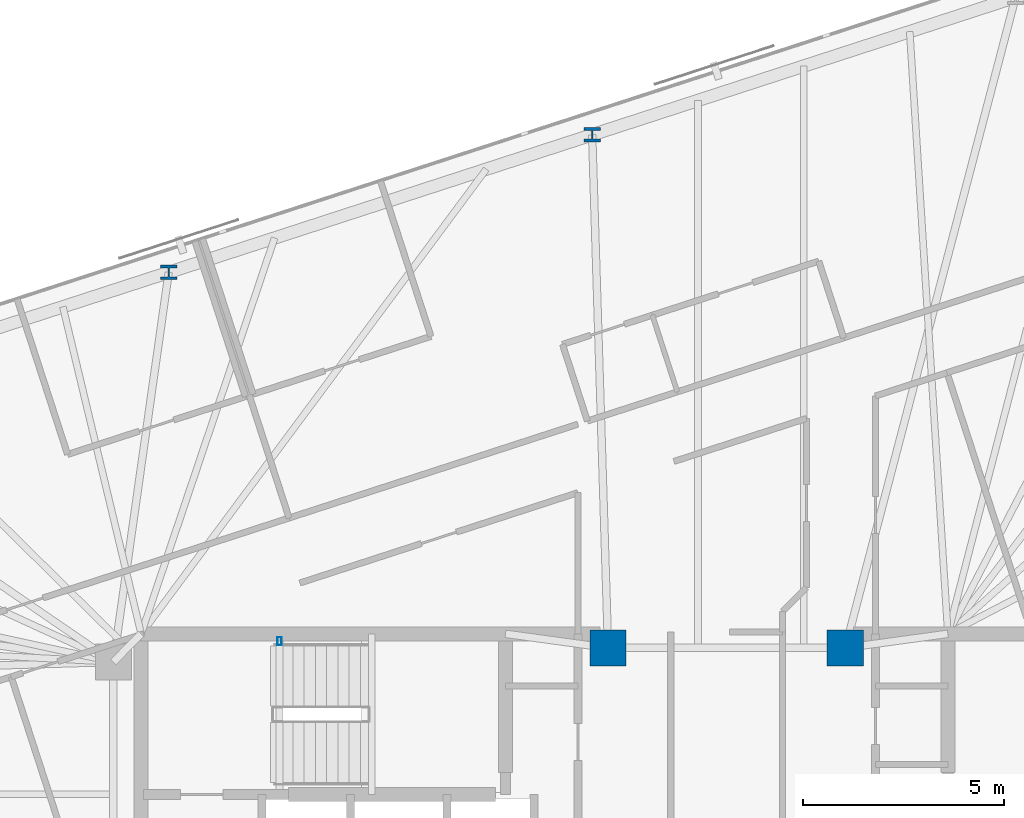
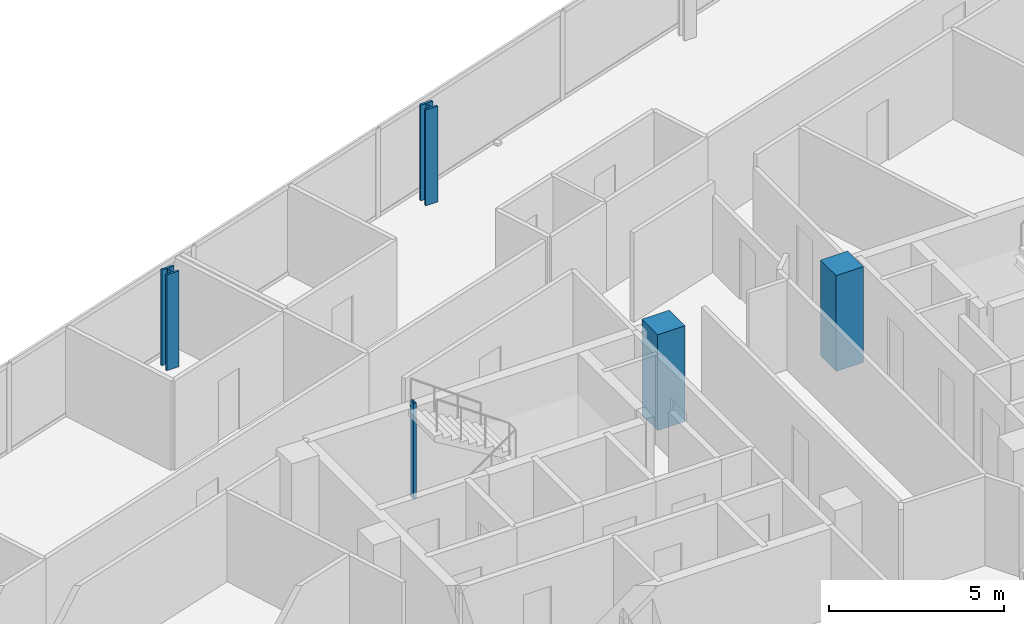
# One storey, part 2 of 19: 5 columns.
"""IFC4 building model written with IfcOpenShell, lengths in metres."""

from ifc_helpers import new_model, si_unit, direction, frame, origin, origin_2d, place, context, subcontext, project, spatial, rectangle, hollow_rectangle, i_section, extrude, material, material_profile, profile_set, type_object, element, save


model = new_model("IFC4")

# Units and contexts
model_context = context("Model", 3, precision=1e-05, world=origin(), true_north=direction((0.0, 1.0)))
body_context = subcontext(model_context, "Body", "Model", "MODEL_VIEW")
ifc_project = project(units=[si_unit("LENGTHUNIT", "METRE"), si_unit("AREAUNIT", "SQUARE_METRE"), si_unit("VOLUMEUNIT", "CUBIC_METRE"), si_unit("PLANEANGLEUNIT", "RADIAN"), si_unit("MASSUNIT", "GRAM", prefix="KILO")], contexts=[model_context])

# Site, building, storey
site_placement = place(None, origin())
site = spatial("IfcSite", under=ifc_project, at=site_placement, CompositionType="ELEMENT")
building_placement = place(site_placement, origin())
building = spatial("IfcBuilding", under=site, at=building_placement, Name="Menara Jurai Vektor", CompositionType="ELEMENT")
storey_placement = place(building_placement, frame((0.0, 0.0, 241.050048828125)))
storey = spatial("IfcBuildingStorey", under=building, at=storey_placement, Name="L64", CompositionType="ELEMENT", Elevation=241.050048828125)

# Columns
ifc_material_1 = material(Name="Concrete C50/60", Category="concrete")
ifc_material_profile_1 = material_profile(ifc_material_1, rectangle(XDim=0.89990234375, YDim=0.89990234375, at=origin_2d()), Name="RC 900x900")
ifc_profile_set_1 = profile_set([ifc_material_profile_1], Name="Concrete C50/60")
column_type_1 = type_object("IfcColumnType", Name="STR-COL-RC900", PredefinedType="COLUMN", material=ifc_profile_set_1)
for number, where, z_axis, x_axis, name in (
    (1, (-2.949951171875, 5.25, 0.0), (0.0, 0.0, 1.0), (1.0, 0.0, 0.0), "Core Spine Column CW-NE L64"),
    (2, (2.949951171875, 5.25, 0.0), (0.0, 0.0, 1.0), (1.0, 0.0, 0.0), "Core Spine Column CE-NW L64"),
):
    element("IfcColumn", number, at=place(storey_placement, frame(where, z_axis=z_axis, x_axis=x_axis)), inside=storey, type_object=column_type_1, Name=name, PredefinedType="COLUMN", context=body_context, shape_type="SweptSolid", body=[
        extrude(rectangle(XDim=0.89990234375, YDim=0.89990234375, at=origin_2d()), origin(), (0.0, 0.0, 1.0), 3.349853515625),
    ])
ifc_material_2 = material(Name="Steel S355", Category="steel")
ifc_material_profile_2 = material_profile(ifc_material_2, hollow_rectangle(XDim=0.10009765625, YDim=0.199951171875, WallThickness=0.008056640625, at=origin_2d()), Name="RHS 200x100x8")
ifc_profile_set_2 = profile_set([ifc_material_profile_2], Name="Steel S355")
column_type_2 = type_object("IfcColumnType", Name="STR-COL-STAIR", PredefinedType="COLUMN", material=ifc_profile_set_2)
column_placement = place(storey_placement, frame((-11.1201171875, 5.419921875, 0.0), z_axis=(0.0, 0.0, 1.0), x_axis=(1.0, 0.0, 0.0)))
element("IfcColumn", 3, at=column_placement, inside=storey, type_object=column_type_2, Name="Stair Well Header Column ST1-P2 L64", PredefinedType="COLUMN", context=body_context, shape_type="SweptSolid", body=[
    extrude(hollow_rectangle(XDim=0.10009765625, YDim=0.199951171875, WallThickness=0.008056640625, at=origin_2d()), origin(), (0.0, 0.0, 1.0), 3.349853515625),
])
ifc_material_3 = material(Name="Steel S460", Category="steel")
ifc_material_profile_3 = material_profile(ifc_material_3, i_section(OverallWidth=0.405029296875, OverallDepth=0.35498046875, WebThickness=0.0419921875, FlangeThickness=0.068115234375, FilletRadius=0.014892578125, at=origin_2d()), Name="HD 400x551")
ifc_profile_set_3 = profile_set([ifc_material_profile_3], Name="Steel S460")
column_type_3 = type_object("IfcColumnType", Name="STR-EXO-BLK4", PredefinedType="COLUMN", material=ifc_profile_set_3)
for number, where, z_axis, x_axis, name in (
    (4, (-3.345703125, 18.008544921875, 0.0), (0.0, 0.0, 1.0), (1.0, 0.0, 0.0), "Exoskeleton Column BLK4-N3 L64"),
    (5, (-13.875, 14.58740234375, 0.0), (0.0, 0.0, 1.0), (1.0, 0.0, 0.0), "Exoskeleton Column BLK4-N4 L64"),
):
    element("IfcColumn", number, at=place(storey_placement, frame(where, z_axis=z_axis, x_axis=x_axis)), inside=storey, type_object=column_type_3, Name=name, PredefinedType="COLUMN", context=body_context, shape_type="SweptSolid", body=[
        extrude(i_section(OverallWidth=0.405029296875, OverallDepth=0.35498046875, WebThickness=0.0419921875, FlangeThickness=0.068115234375, FilletRadius=0.014892578125, at=origin_2d()), origin(), (0.0, 0.0, 1.0), 3.349853515625),
    ])

save(model, "model.ifc")
